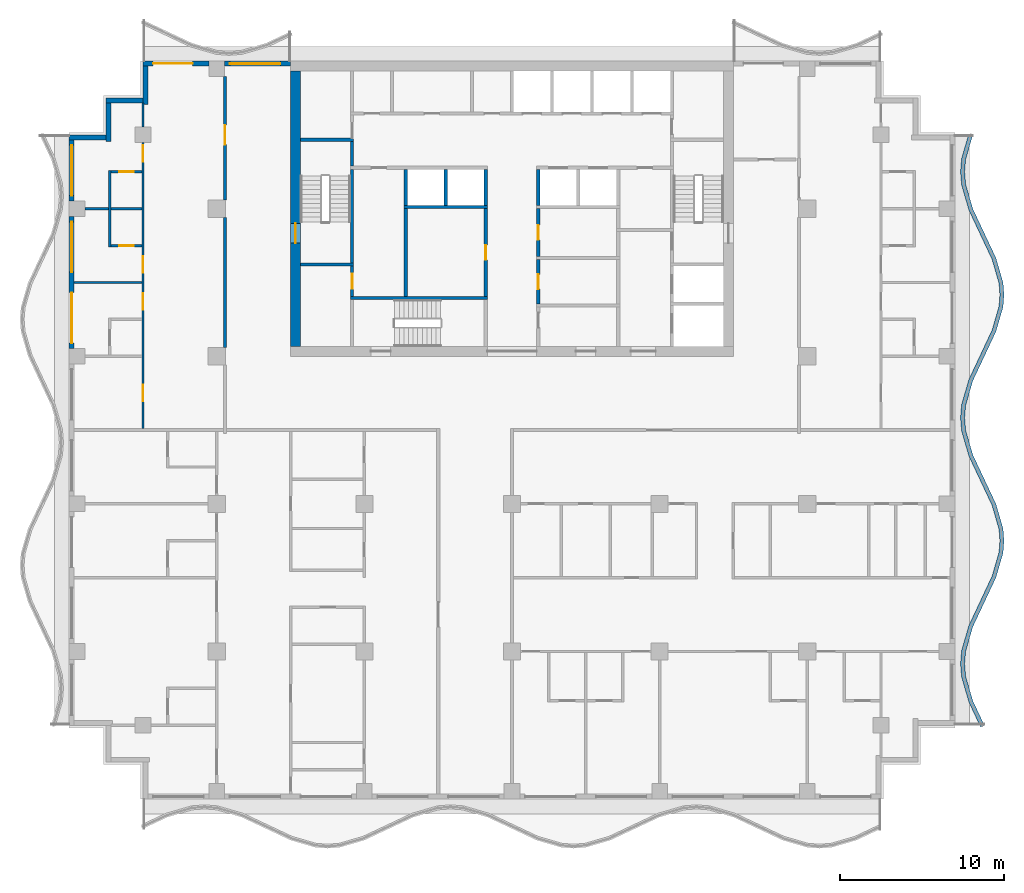
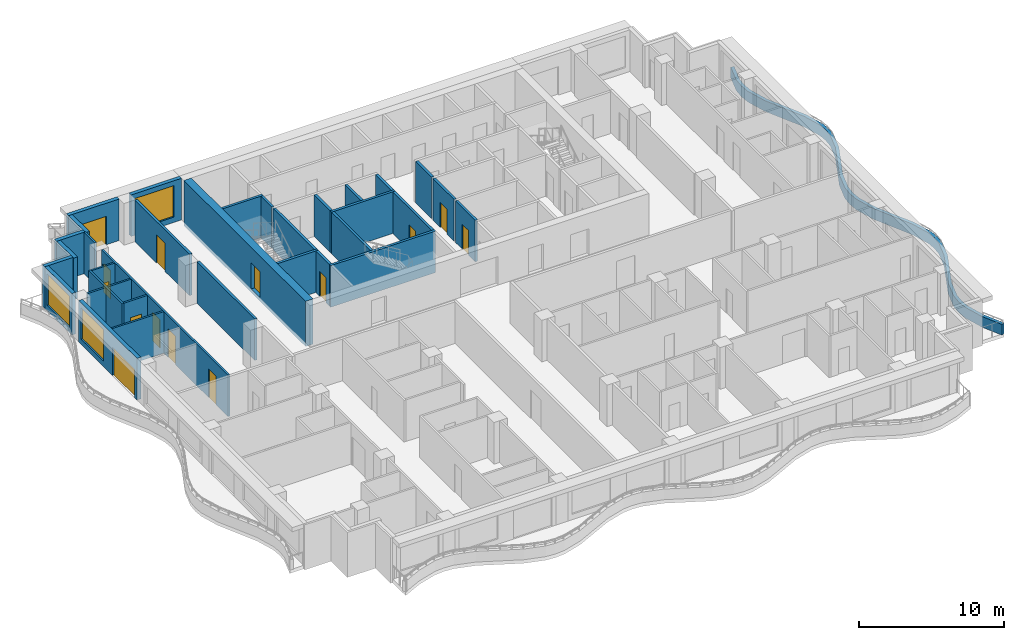
# One storey, part 5 of 11: 35 walls, 14 doors, 3 windows, 17 openings.
"""IFC4 building model written with IfcOpenShell, lengths in metres."""

from ifc_helpers import new_model, si_unit, direction, frame, frame_2d, origin, place, context, subcontext, project, spatial, polyline, rectangle, outline, extrude, material, layer, layer_set, type_object, element, fill, save


model = new_model("IFC4")

# Units and contexts
model_context = context("Model", 3, precision=1e-05, world=origin(), true_north=direction((0.0, 1.0)))
body_context = subcontext(model_context, "Body", "Model", "MODEL_VIEW")
ifc_project = project(units=[si_unit("LENGTHUNIT", "METRE"), si_unit("AREAUNIT", "SQUARE_METRE"), si_unit("VOLUMEUNIT", "CUBIC_METRE"), si_unit("PLANEANGLEUNIT", "RADIAN"), si_unit("MASSUNIT", "GRAM", prefix="KILO")], contexts=[model_context])

# Site, building, storey
site_placement = place(None, origin())
site = spatial("IfcSite", under=ifc_project, at=site_placement, CompositionType="ELEMENT")
building_placement = place(site_placement, origin())
building = spatial("IfcBuilding", under=site, at=building_placement, Name="Orbiselva Terraces", CompositionType="ELEMENT")
storey_placement = place(building_placement, frame((0.0, 0.0, 226.2)))
storey = spatial("IfcBuildingStorey", under=building, at=storey_placement, Name="L57", CompositionType="ELEMENT", Elevation=226.2)

# Wall, opening, door
ifc_material_1 = material(Name="Concrete C80/95", Category="concrete")
ifc_layer_1 = layer(ifc_material_1, 0.6)
ifc_layer_set_1 = layer_set([ifc_layer_1], Name="Concrete C80/95")
wall_type_1 = type_object("IfcWallType", Name="CORE WALL 600", PredefinedType="SHEAR", material=ifc_layer_set_1)
wall_1_placement = place(storey_placement, frame((-13.2, 21.9, -0.3), z_axis=(0.0, 0.0, 1.0), x_axis=(0.0, -1.0, 0.0)))
wall_1 = element("IfcWall", 1, at=wall_1_placement, inside=storey, type_object=wall_type_1, Name="Core wall L57 west", PredefinedType="SHEAR", context=body_context, shape_type="SweptSolid", body=[
    extrude(rectangle(XDim=16.8, YDim=0.6, at=frame_2d((8.4, 0.0))), origin(), (0.0, 0.0, 1.0), 3.8),
])
opening_1_placement = place(wall_1_placement, frame((9.3, 0.0, 0.3)))
opening_1 = element("IfcOpeningElement", 2, at=opening_1_placement, cuts=wall_1, Name="Opening DS1200", PredefinedType="OPENING", context=body_context, shape_type="SweptSolid", body=[
    extrude(rectangle(XDim=1.2, YDim=2.2, at=frame_2d((0.6, 1.1))), frame((0.0, 0.31, 0.0), z_axis=(0.0, -1.0, 0.0), x_axis=(1.0, 0.0, 0.0)), (0.0, 0.0, 1.0), 0.62),
])
ifc_material_2 = material(Name="Steel fire door", Category="steel")
door_type_1 = type_object("IfcDoorType", Name="STAIR DOOR 1200", OperationType="NOTDEFINED", PredefinedType="DOOR", material=ifc_material_2)
door_1_placement = place(opening_1_placement, frame((1.2, 0.0, 0.0), z_axis=(0.0, 0.0, 1.0), x_axis=(-1.0, 0.0, 0.0)))
door_1 = element("IfcDoor", 3, at=door_1_placement, inside=storey, type_object=door_type_1, Name="L57 EXIT STAIR S1 door", OperationType="SINGLE_SWING_RIGHT", OverallHeight=2.2, OverallWidth=1.2, PredefinedType="DOOR", context=body_context, shape_type="SweptSolid", body=[
    extrude(rectangle(XDim=1.2, YDim=2.2, at=frame_2d((0.6, 1.1))), frame((0.0, 0.025, 0.0), z_axis=(0.0, -1.0, 0.0), x_axis=(1.0, 0.0, 0.0)), (0.0, 0.0, 1.0), 0.05),
])
fill(opening_1, door_1)

ifc_material_3 = material(Name="Masonry blockwork", Category="masonry")
ifc_layer_2 = layer(ifc_material_3, 0.2)
ifc_layer_set_2 = layer_set([ifc_layer_2], Name="Masonry blockwork")
wall_type_2 = type_object("IfcWallType", Name="CORE-WALL-PARTITION-200", PredefinedType="PARTITIONING", material=ifc_layer_set_2)
wall_2_placement = place(storey_placement, frame((-9.75, 8.15, 0.0), z_axis=(0.0, 0.0, 1.0), x_axis=(0.0, 1.0, 0.0)))
wall_2 = element("IfcWall", 4, at=wall_2_placement, inside=storey, type_object=wall_type_2, Name="L57 core wall 05", PredefinedType="PARTITIONING", context=body_context, shape_type="SweptSolid", body=[
    extrude(rectangle(XDim=1.85, YDim=0.2, at=frame_2d((0.925, 0.0))), origin(), (0.0, 0.0, 1.0), 3.5),
])
opening_2_placement = place(wall_2_placement, frame((0.475, 0.0, 0.0)))
opening_2 = element("IfcOpeningElement", 5, at=opening_2_placement, cuts=wall_2, Name="Opening DR900", PredefinedType="OPENING", context=body_context, shape_type="SweptSolid", body=[
    extrude(rectangle(XDim=0.9, YDim=2.1, at=frame_2d((0.45, 1.05))), frame((0.0, 0.11, 0.0), z_axis=(0.0, -1.0, 0.0), x_axis=(1.0, 0.0, 0.0)), (0.0, 0.0, 1.0), 0.22),
])
door_type_2 = type_object("IfcDoorType", Name="ROOM DOOR 900", OperationType="NOTDEFINED", PredefinedType="DOOR", material=ifc_material_2)
door_2_placement = place(opening_2_placement, origin())
door_2 = element("IfcDoor", 6, at=door_2_placement, inside=storey, type_object=door_type_2, Name="L57 STAFF WC door", OperationType="SINGLE_SWING_RIGHT", OverallHeight=2.1, OverallWidth=0.9, PredefinedType="DOOR", context=body_context, shape_type="SweptSolid", body=[
    extrude(rectangle(XDim=0.9, YDim=2.1, at=frame_2d((0.45, 1.05))), frame((0.0, 0.025, 0.0), z_axis=(0.0, -1.0, 0.0), x_axis=(1.0, 0.0, 0.0)), (0.0, 0.0, 1.0), 0.05),
])
fill(opening_2, door_2)

# Wall
wall_3_placement = place(storey_placement, frame((-6.475, 8.15, 0.0), z_axis=(0.0, 0.0, 1.0), x_axis=(0.0, 1.0, 0.0)))
element("IfcWall", 7, at=wall_3_placement, inside=storey, type_object=wall_type_2, Name="L57 core wall 13", PredefinedType="PARTITIONING", context=body_context, shape_type="SweptSolid", body=[
    extrude(rectangle(XDim=5.35, YDim=0.2, at=frame_2d((2.675, 0.0))), origin(), (0.0, 0.0, 1.0), 3.5),
])

# Wall, opening, door
wall_4_placement = place(storey_placement, frame((1.6, 10.4, 0.0), z_axis=(0.0, 0.0, 1.0), x_axis=(0.0, -1.0, 0.0)))
wall_4 = element("IfcWall", 8, at=wall_4_placement, inside=storey, type_object=wall_type_2, Name="L57 core wall 24", PredefinedType="PARTITIONING", context=body_context, shape_type="SweptSolid", body=[
    extrude(rectangle(XDim=2.7, YDim=0.2, at=frame_2d((1.35, 0.0))), origin(), (0.0, 0.0, 1.0), 3.5),
])
opening_3_placement = place(wall_4_placement, frame((0.9, 0.0, 0.0)))
opening_3 = element("IfcOpeningElement", 9, at=opening_3_placement, cuts=wall_4, Name="Opening DR900", PredefinedType="OPENING", context=body_context, shape_type="SweptSolid", body=[
    extrude(rectangle(XDim=0.9, YDim=2.1, at=frame_2d((0.45, 1.05))), frame((0.0, 0.11, 0.0), z_axis=(0.0, -1.0, 0.0), x_axis=(1.0, 0.0, 0.0)), (0.0, 0.0, 1.0), 0.22),
])
door_3_placement = place(opening_3_placement, origin())
door_3 = element("IfcDoor", 10, at=door_3_placement, inside=storey, type_object=door_type_2, Name="L57 SERVICE PANTRY door", OperationType="SINGLE_SWING_LEFT", OverallHeight=2.1, OverallWidth=0.9, PredefinedType="DOOR", context=body_context, shape_type="SweptSolid", body=[
    extrude(rectangle(XDim=0.9, YDim=2.1, at=frame_2d((0.45, 1.05))), frame((0.0, 0.025, 0.0), z_axis=(0.0, -1.0, 0.0), x_axis=(1.0, 0.0, 0.0)), (0.0, 0.0, 1.0), 0.05),
])
fill(opening_3, door_3)

wall_5_placement = place(storey_placement, frame((1.6, 13.5, 0.0), z_axis=(0.0, 0.0, 1.0), x_axis=(0.0, -1.0, 0.0)))
wall_5 = element("IfcWall", 11, at=wall_5_placement, inside=storey, type_object=wall_type_2, Name="L57 core wall 26", PredefinedType="PARTITIONING", context=body_context, shape_type="SweptSolid", body=[
    extrude(rectangle(XDim=2.9, YDim=0.2, at=frame_2d((1.45, 0.0))), origin(), (0.0, 0.0, 1.0), 3.5),
])
opening_4_placement = place(wall_5_placement, frame((1.0, 0.0, 0.0)))
opening_4 = element("IfcOpeningElement", 12, at=opening_4_placement, cuts=wall_5, Name="Opening DR900", PredefinedType="OPENING", context=body_context, shape_type="SweptSolid", body=[
    extrude(rectangle(XDim=0.9, YDim=2.1, at=frame_2d((0.45, 1.05))), frame((0.0, 0.11, 0.0), z_axis=(0.0, -1.0, 0.0), x_axis=(1.0, 0.0, 0.0)), (0.0, 0.0, 1.0), 0.22),
])
door_4_placement = place(opening_4_placement, origin())
door_4 = element("IfcDoor", 13, at=door_4_placement, inside=storey, type_object=door_type_2, Name="L57 STAFF WC door", OperationType="SINGLE_SWING_LEFT", OverallHeight=2.1, OverallWidth=0.9, PredefinedType="DOOR", context=body_context, shape_type="SweptSolid", body=[
    extrude(rectangle(XDim=0.9, YDim=2.1, at=frame_2d((0.45, 1.05))), frame((0.0, 0.025, 0.0), z_axis=(0.0, -1.0, 0.0), x_axis=(1.0, 0.0, 0.0)), (0.0, 0.0, 1.0), 0.05),
])
fill(opening_4, door_4)

# Walls
ifc_material_4 = material(Name="Concrete C40/50", Category="concrete")
ifc_layer_3 = layer(ifc_material_4, 0.2)
ifc_layer_set_3 = layer_set([ifc_layer_3], Name="Concrete C40/50")
wall_type_3 = type_object("IfcWallType", Name="CORE-WALL-SHAFT-200", PredefinedType="PARTITIONING", material=ifc_layer_set_3)
for number, where, z_axis, x_axis, name in (
    (14, (-6.475, 13.7, 0.0), (0.0, 0.0, 1.0), (0.0, 1.0, 0.0), "L57 core wall 15"),
    (15, (-4.0375, 13.7, 0.0), (0.0, 0.0, 1.0), (0.0, 1.0, 0.0), "L57 core wall 16"),
    (16, (-1.6, 13.7, 0.0), (0.0, 0.0, 1.0), (0.0, 1.0, 0.0), "L57 core wall 20"),
    (17, (1.6, 13.7, 0.0), (0.0, 0.0, 1.0), (0.0, 1.0, 0.0), "L57 core wall 28"),
):
    element("IfcWall", number, at=place(storey_placement, frame(where, z_axis=z_axis, x_axis=x_axis)), inside=storey, type_object=wall_type_3, Name=name, PredefinedType="PARTITIONING", context=body_context, shape_type="SweptSolid", body=[
        extrude(rectangle(XDim=2.2, YDim=0.2, at=frame_2d((1.1, 0.0))), origin(), (0.0, 0.0, 1.0), 3.5),
    ])
ifc_material_5 = material(Name="Concrete C60/75", Category="concrete")
ifc_layer_4 = layer(ifc_material_5, 0.2)
ifc_layer_set_4 = layer_set([ifc_layer_4], Name="Concrete C60/75")
wall_type_4 = type_object("IfcWallType", Name="CORE-WALL-SHEAR-200", PredefinedType="SHEAR", material=ifc_layer_set_4)
for number, where, z_axis, x_axis, name in (
    (18, (-12.9, 10.1, 0.0), (0.0, 0.0, 1.0), (1.0, 0.0, 0.0), "L57 core wall 01"),
    (19, (-12.9, 17.7, 0.0), (0.0, 0.0, 1.0), (1.0, 0.0, 0.0), "L57 core wall 02"),
):
    element("IfcWall", number, at=place(storey_placement, frame(where, z_axis=z_axis, x_axis=x_axis)), inside=storey, type_object=wall_type_4, Name=name, PredefinedType="SHEAR", context=body_context, shape_type="SweptSolid", body=[
        extrude(rectangle(XDim=3.25, YDim=0.2, at=frame_2d((1.625, 0.0))), origin(), (0.0, 0.0, 1.0), 3.5),
    ])
wall_6_placement = place(storey_placement, frame((-9.85, 8.05, 0.0), z_axis=(0.0, 0.0, 1.0), x_axis=(1.0, 0.0, 0.0)))
element("IfcWall", 20, at=wall_6_placement, inside=storey, type_object=wall_type_4, Name="L57 core wall 04", PredefinedType="SHEAR", context=body_context, shape_type="SweptSolid", body=[
    extrude(rectangle(XDim=8.35, YDim=0.2, at=frame_2d((4.175, 0.0))), origin(), (0.0, 0.0, 1.0), 3.5),
])
wall_7_placement = place(storey_placement, frame((-9.75, 10.2, 0.0), z_axis=(0.0, 0.0, 1.0), x_axis=(0.0, 1.0, 0.0)))
element("IfcWall", 21, at=wall_7_placement, inside=storey, type_object=wall_type_4, Name="L57 core wall 06", PredefinedType="SHEAR", context=body_context, shape_type="SweptSolid", body=[
    extrude(rectangle(XDim=5.7, YDim=0.2, at=frame_2d((2.85, 0.0))), origin(), (0.0, 0.0, 1.0), 3.5),
])
wall_8_placement = place(storey_placement, frame((-9.75, 16.1, 0.0), z_axis=(0.0, 0.0, 1.0), x_axis=(0.0, 1.0, 0.0)))
element("IfcWall", 22, at=wall_8_placement, inside=storey, type_object=wall_type_4, Name="L57 core wall 08", PredefinedType="SHEAR", context=body_context, shape_type="SweptSolid", body=[
    extrude(rectangle(XDim=1.5, YDim=0.2, at=frame_2d((0.75, 0.0))), origin(), (0.0, 0.0, 1.0), 3.5),
])
wall_9_placement = place(storey_placement, frame((-6.575, 13.6, 0.0), z_axis=(0.0, 0.0, 1.0), x_axis=(1.0, 0.0, 0.0)))
element("IfcWall", 23, at=wall_9_placement, inside=storey, type_object=wall_type_4, Name="L57 core wall 14", PredefinedType="SHEAR", context=body_context, shape_type="SweptSolid", body=[
    extrude(rectangle(XDim=5.075, YDim=0.2, at=frame_2d((2.5375, 0.0))), origin(), (0.0, 0.0, 1.0), 3.5),
])

# Wall, opening, door
wall_10_placement = place(storey_placement, frame((-1.6, 8.15, 0.0), z_axis=(0.0, 0.0, 1.0), x_axis=(0.0, 1.0, 0.0)))
wall_10 = element("IfcWall", 24, at=wall_10_placement, inside=storey, type_object=wall_type_4, Name="L57 core wall 19", PredefinedType="SHEAR", context=body_context, shape_type="SweptSolid", body=[
    extrude(rectangle(XDim=5.35, YDim=0.2, at=frame_2d((2.675, 0.0))), origin(), (0.0, 0.0, 1.0), 3.5),
])
opening_5_placement = place(wall_10_placement, frame((2.225, 0.0, 0.0)))
opening_5 = element("IfcOpeningElement", 25, at=opening_5_placement, cuts=wall_10, Name="Opening DR900", PredefinedType="OPENING", context=body_context, shape_type="SweptSolid", body=[
    extrude(rectangle(XDim=0.9, YDim=2.1, at=frame_2d((0.45, 1.05))), frame((0.0, 0.11, 0.0), z_axis=(0.0, -1.0, 0.0), x_axis=(1.0, 0.0, 0.0)), (0.0, 0.0, 1.0), 0.22),
])
door_5_placement = place(opening_5_placement, origin())
door_5 = element("IfcDoor", 26, at=door_5_placement, inside=storey, type_object=door_type_2, Name="L57 HOUSEKEEPING STORE door", OperationType="SINGLE_SWING_RIGHT", OverallHeight=2.1, OverallWidth=0.9, PredefinedType="DOOR", context=body_context, shape_type="SweptSolid", body=[
    extrude(rectangle(XDim=0.9, YDim=2.1, at=frame_2d((0.45, 1.05))), frame((0.0, 0.025, 0.0), z_axis=(0.0, -1.0, 0.0), x_axis=(1.0, 0.0, 0.0)), (0.0, 0.0, 1.0), 0.05),
])
fill(opening_5, door_5)

# Wall
ifc_layer_5 = layer(ifc_material_4, 0.25)
ifc_layer_set_5 = layer_set([ifc_layer_5], Name="Concrete C40/50")
wall_type_5 = type_object("IfcWallType", Name="ENV-PLANTER-250x900", PredefinedType="USERDEFINED", material=ifc_layer_set_5)
wall_11_placement = place(storey_placement, origin())
element("IfcWall", 27, at=wall_11_placement, inside=storey, type_object=wall_type_5, Name="Balcony planter L57 E", ObjectType="PLANTER", PredefinedType="USERDEFINED", context=body_context, shape_type="SweptSolid", body=[
    extrude(outline(polyline([(28.8, -18.0), (28.094658, -16.5), (27.658732, -15.0), (27.6, -14.25), (27.658732, -13.5), (28.094658, -12.0), (28.8, -10.5), (29.505342, -9.0), (29.941268, -7.5), (30.0, -6.75), (29.941268, -6.0), (29.505342, -4.5), (28.8, -3.0), (28.094658, -1.5), (27.658732, 0.0), (27.6, 0.75), (27.658732, 1.5), (28.094658, 3.0), (28.8, 4.5), (29.505342, 6.0), (29.941268, 7.5), (30.0, 8.25), (29.941268, 9.0), (29.505342, 10.5), (28.8, 12.0), (28.094658, 13.5), (27.658732, 15.0), (27.6, 15.75), (27.658732, 16.5), (28.094658, 18.0), (27.85459, 18.069768), (27.411499, 16.545114), (27.349235, 15.75), (27.411499, 14.954886), (27.860069, 13.411382), (28.573764, 11.893617), (29.270753, 10.411382), (29.694035, 8.954886), (29.749235, 8.25), (29.694035, 7.545114), (29.270753, 6.088618), (28.573764, 4.606383), (27.860069, 3.088618), (27.411499, 1.545114), (27.349235, 0.75), (27.411499, -0.045114), (27.860069, -1.588618), (28.573764, -3.106383), (29.270753, -4.588618), (29.694035, -6.045114), (29.749235, -6.75), (29.694035, -7.454886), (29.270753, -8.911382), (28.573764, -10.393617), (27.860069, -11.911382), (27.411499, -13.454886), (27.349235, -14.25), (27.411499, -15.045114), (27.860069, -16.588618), (28.573764, -18.106383), (28.8, -18.0)])), origin(), (0.0, 0.0, 1.0), 0.9),
])

# Wall, opening, window
ifc_material_6 = material(Name="Terracotta cladding on masonry backing", Category="masonry")
ifc_layer_6 = layer(ifc_material_6, 0.3)
ifc_layer_set_6 = layer_set([ifc_layer_6], Name="Terracotta cladding on masonry backing")
wall_type_6 = type_object("IfcWallType", Name="ENV-WALL-TERRACOTTA-300", PredefinedType="SOLIDWALL", material=ifc_layer_set_6)
wall_12_placement = place(storey_placement, frame((-17.525, 22.35, 0.0), z_axis=(0.0, 0.0, 1.0), x_axis=(1.0, 0.0, 0.0)))
wall_12 = element("IfcWall", 28, at=wall_12_placement, inside=storey, type_object=wall_type_6, Name="Facade wall L57 NW", PredefinedType="SOLIDWALL", context=body_context, shape_type="SweptSolid", body=[
    extrude(rectangle(XDim=4.025, YDim=0.3, at=frame_2d((2.0125, 0.0))), origin(), (0.0, 0.0, 1.0), 3.5),
])
opening_6_placement = place(wall_12_placement, frame((0.325, 0.0, 0.45)))
opening_6 = element("IfcOpeningElement", 29, at=opening_6_placement, cuts=wall_12, Name="Opening WN15", PredefinedType="OPENING", context=body_context, shape_type="SweptSolid", body=[
    extrude(rectangle(XDim=3.075, YDim=2.65, at=frame_2d((1.5375, 1.325))), frame((0.0, 0.16, 0.0), z_axis=(0.0, -1.0, 0.0), x_axis=(1.0, 0.0, 0.0)), (0.0, 0.0, 1.0), 0.32),
])
ifc_material_7 = material(Name="Clear low-e glazing in aluminium frame", Category="aluminium")
window_type = type_object("IfcWindowType", Name="WINDOW 3075 X 2650 S450", PartitioningType="TRIPLE_PANEL_VERTICAL", PredefinedType="WINDOW", material=ifc_material_7)
window_1_placement = place(opening_6_placement, origin())
window_1 = element("IfcWindow", 30, at=window_1_placement, inside=storey, type_object=window_type, Name="Window L57 NW", OverallHeight=2.65, OverallWidth=3.075, PartitioningType="SINGLE_PANEL", PredefinedType="WINDOW", context=body_context, shape_type="SweptSolid", body=[
    extrude(rectangle(XDim=3.075, YDim=2.65, at=frame_2d((1.5375, 1.325))), frame((0.0, 0.03, 0.0), z_axis=(0.0, -1.0, 0.0), x_axis=(1.0, 0.0, 0.0)), (0.0, 0.0, 1.0), 0.06),
])
fill(opening_6, window_1)

# Wall, opening, door
wall_13_placement = place(storey_placement, frame((-22.5, 22.35, 0.0), z_axis=(0.0, 0.0, 1.0), x_axis=(1.0, 0.0, 0.0)))
wall_13 = element("IfcWall", 31, at=wall_13_placement, inside=storey, type_object=wall_type_6, Name="Facade wall L57 NW", PredefinedType="SOLIDWALL", context=body_context, shape_type="SweptSolid", body=[
    extrude(rectangle(XDim=4.025, YDim=0.3, at=frame_2d((2.0125, 0.0))), origin(), (0.0, 0.0, 1.0), 3.5),
])
opening_7_placement = place(wall_13_placement, frame((0.625, 0.0, 0.0)))
opening_7 = element("IfcOpeningElement", 32, at=opening_7_placement, cuts=wall_13, Name="Opening Z4-E-E07", PredefinedType="OPENING", context=body_context, shape_type="SweptSolid", body=[
    extrude(rectangle(XDim=2.4, YDim=2.4, at=frame_2d((1.2, 1.2))), frame((0.0, 0.16, 0.0), z_axis=(0.0, -1.0, 0.0), x_axis=(1.0, 0.0, 0.0)), (0.0, 0.0, 1.0), 0.32),
])
door_type_3 = type_object("IfcDoorType", Name="BALCONY DOOR 2400 X 2400", OperationType="DOUBLE_DOOR_SLIDING", PredefinedType="DOOR", material=ifc_material_7)
door_6_placement = place(opening_7_placement, origin())
door_6 = element("IfcDoor", 33, at=door_6_placement, inside=storey, type_object=door_type_3, Name="Z4-E-E07", OperationType="SINGLE_SWING_LEFT", OverallHeight=2.4, OverallWidth=2.4, PredefinedType="DOOR", context=body_context, shape_type="SweptSolid", body=[
    extrude(rectangle(XDim=2.4, YDim=2.4, at=frame_2d((1.2, 1.2))), frame((0.0, 0.025, 0.0), z_axis=(0.0, -1.0, 0.0), x_axis=(1.0, 0.0, 0.0)), (0.0, 0.0, 1.0), 0.05),
])
fill(opening_7, door_6)

# Walls
wall_14_placement = place(storey_placement, frame((-22.35, 19.85, 0.0), z_axis=(0.0, 0.0, 1.0), x_axis=(0.0, 1.0, 0.0)))
element("IfcWall", 34, at=wall_14_placement, inside=storey, type_object=wall_type_6, Name="Facade wall L57 STEP", PredefinedType="SOLIDWALL", context=body_context, shape_type="SweptSolid", body=[
    extrude(rectangle(XDim=2.35, YDim=0.3, at=frame_2d((1.175, 0.0))), origin(), (0.0, 0.0, 1.0), 3.5),
])
wall_15_placement = place(storey_placement, frame((-24.75, 20.1, 0.0), z_axis=(0.0, 0.0, 1.0), x_axis=(1.0, 0.0, 0.0)))
element("IfcWall", 35, at=wall_15_placement, inside=storey, type_object=wall_type_6, Name="Facade wall L57 STEP", PredefinedType="SOLIDWALL", context=body_context, shape_type="SweptSolid", body=[
    extrude(rectangle(XDim=2.25, YDim=0.3, at=frame_2d((1.125, 0.0))), origin(), (0.0, 0.0, 1.0), 3.5),
])
wall_16_placement = place(storey_placement, frame((-24.6, 17.6, 0.0), z_axis=(0.0, 0.0, 1.0), x_axis=(0.0, 1.0, 0.0)))
element("IfcWall", 36, at=wall_16_placement, inside=storey, type_object=wall_type_6, Name="Facade wall L57 STEP", PredefinedType="SOLIDWALL", context=body_context, shape_type="SweptSolid", body=[
    extrude(rectangle(XDim=2.35, YDim=0.3, at=frame_2d((1.175, 0.0))), origin(), (0.0, 0.0, 1.0), 3.5),
])
wall_17_placement = place(storey_placement, frame((-27.0, 17.85, 0.0), z_axis=(0.0, 0.0, 1.0), x_axis=(1.0, 0.0, 0.0)))
element("IfcWall", 37, at=wall_17_placement, inside=storey, type_object=wall_type_6, Name="Facade wall L57 STEP", PredefinedType="SOLIDWALL", context=body_context, shape_type="SweptSolid", body=[
    extrude(rectangle(XDim=2.25, YDim=0.3, at=frame_2d((1.125, 0.0))), origin(), (0.0, 0.0, 1.0), 3.5),
])

# Wall, opening, window
wall_18_placement = place(storey_placement, frame((-26.85, 13.975, 0.0), z_axis=(0.0, 0.0, 1.0), x_axis=(0.0, 1.0, 0.0)))
wall_18 = element("IfcWall", 38, at=wall_18_placement, inside=storey, type_object=wall_type_6, Name="Facade wall L57 W", PredefinedType="SOLIDWALL", context=body_context, shape_type="SweptSolid", body=[
    extrude(rectangle(XDim=3.725, YDim=0.3, at=frame_2d((1.8625, 0.0))), origin(), (0.0, 0.0, 1.0), 3.5),
])
opening_8_placement = place(wall_18_placement, frame((0.325, 0.0, 0.45)))
opening_8 = element("IfcOpeningElement", 39, at=opening_8_placement, cuts=wall_18, Name="Opening WN15", PredefinedType="OPENING", context=body_context, shape_type="SweptSolid", body=[
    extrude(rectangle(XDim=3.075, YDim=2.65, at=frame_2d((1.5375, 1.325))), frame((0.0, 0.16, 0.0), z_axis=(0.0, -1.0, 0.0), x_axis=(1.0, 0.0, 0.0)), (0.0, 0.0, 1.0), 0.32),
])
window_2_placement = place(opening_8_placement, origin())
window_2 = element("IfcWindow", 40, at=window_2_placement, inside=storey, type_object=window_type, Name="Window L57 W", OverallHeight=2.65, OverallWidth=3.075, PartitioningType="SINGLE_PANEL", PredefinedType="WINDOW", context=body_context, shape_type="SweptSolid", body=[
    extrude(rectangle(XDim=3.075, YDim=2.65, at=frame_2d((1.5375, 1.325))), frame((0.0, 0.03, 0.0), z_axis=(0.0, -1.0, 0.0), x_axis=(1.0, 0.0, 0.0)), (0.0, 0.0, 1.0), 0.06),
])
fill(opening_8, window_2)

# Wall, openings, door, window
wall_19_placement = place(storey_placement, frame((-26.85, 4.975, 0.0), z_axis=(0.0, 0.0, 1.0), x_axis=(0.0, 1.0, 0.0)))
wall_19 = element("IfcWall", 41, at=wall_19_placement, inside=storey, type_object=wall_type_6, Name="Facade wall L57 W", PredefinedType="SOLIDWALL", context=body_context, shape_type="SweptSolid", body=[
    extrude(rectangle(XDim=8.05, YDim=0.3, at=frame_2d((4.025, 0.0))), origin(), (0.0, 0.0, 1.0), 3.5),
])
opening_9_placement = place(wall_19_placement, frame((4.65, 0.0, 0.45)))
opening_9 = element("IfcOpeningElement", 42, at=opening_9_placement, cuts=wall_19, Name="Opening WN15", PredefinedType="OPENING", context=body_context, shape_type="SweptSolid", body=[
    extrude(rectangle(XDim=3.075, YDim=2.65, at=frame_2d((1.5375, 1.325))), frame((0.0, 0.16, 0.0), z_axis=(0.0, -1.0, 0.0), x_axis=(1.0, 0.0, 0.0)), (0.0, 0.0, 1.0), 0.32),
])
opening_10_placement = place(wall_19_placement, frame((0.325, 0.0, 0.0)))
opening_10 = element("IfcOpeningElement", 43, at=opening_10_placement, cuts=wall_19, Name="Opening Z4-E-E08", PredefinedType="OPENING", context=body_context, shape_type="SweptSolid", body=[
    extrude(rectangle(XDim=3.075, YDim=2.4, at=frame_2d((1.5375, 1.2))), frame((0.0, 0.16, 0.0), z_axis=(0.0, -1.0, 0.0), x_axis=(1.0, 0.0, 0.0)), (0.0, 0.0, 1.0), 0.32),
])
door_type_4 = type_object("IfcDoorType", Name="BALCONY DOOR 3075 X 2400", OperationType="DOUBLE_DOOR_SLIDING", PredefinedType="DOOR", material=ifc_material_7)
door_7_placement = place(opening_10_placement, origin())
door_7 = element("IfcDoor", 44, at=door_7_placement, inside=storey, type_object=door_type_4, Name="Z4-E-E08", OperationType="SINGLE_SWING_LEFT", OverallHeight=2.4, OverallWidth=3.075, PredefinedType="DOOR", context=body_context, shape_type="SweptSolid", body=[
    extrude(rectangle(XDim=3.075, YDim=2.4, at=frame_2d((1.5375, 1.2))), frame((0.0, 0.025, 0.0), z_axis=(0.0, -1.0, 0.0), x_axis=(1.0, 0.0, 0.0)), (0.0, 0.0, 1.0), 0.05),
])
fill(opening_10, door_7)
window_3_placement = place(opening_9_placement, origin())
window_3 = element("IfcWindow", 45, at=window_3_placement, inside=storey, type_object=window_type, Name="Window L57 W", OverallHeight=2.65, OverallWidth=3.075, PartitioningType="SINGLE_PANEL", PredefinedType="WINDOW", context=body_context, shape_type="SweptSolid", body=[
    extrude(rectangle(XDim=3.075, YDim=2.65, at=frame_2d((1.5375, 1.325))), frame((0.0, 0.03, 0.0), z_axis=(0.0, -1.0, 0.0), x_axis=(1.0, 0.0, 0.0)), (0.0, 0.0, 1.0), 0.06),
])
fill(opening_9, window_3)

# Wall
ifc_material_8 = material(Name="Plasterboard on steel stud partition", Category="steel")
ifc_layer_7 = layer(ifc_material_8, 0.2)
ifc_layer_set_7 = layer_set([ifc_layer_7], Name="Plasterboard on steel stud partition")
wall_type_7 = type_object("IfcWallType", Name="UNIT-ENTRANCE-WALL-200", PredefinedType="PARTITIONING", material=ifc_layer_set_7)
wall_20_placement = place(storey_placement, frame((-17.5, 5.025, 0.0), z_axis=(0.0, 0.0, 1.0), x_axis=(0.0, 1.0, 0.0)))
element("IfcWall", 46, at=wall_20_placement, inside=storey, type_object=wall_type_7, Name="PARTITION L57-058", PredefinedType="PARTITIONING", context=body_context, shape_type="SweptSolid", body=[
    extrude(rectangle(XDim=7.95, YDim=0.2, at=frame_2d((3.975, 0.0))), origin(), (0.0, 0.0, 1.0), 3.5),
])

# Wall, opening, door
wall_21_placement = place(storey_placement, frame((-17.5, 14.025, 0.0), z_axis=(0.0, 0.0, 1.0), x_axis=(0.0, 1.0, 0.0)))
wall_21 = element("IfcWall", 47, at=wall_21_placement, inside=storey, type_object=wall_type_7, Name="PARTITION L57-059", PredefinedType="PARTITIONING", context=body_context, shape_type="SweptSolid", body=[
    extrude(rectangle(XDim=7.525, YDim=0.2, at=frame_2d((3.7625, 0.0))), origin(), (0.0, 0.0, 1.0), 3.5),
])
opening_11_placement = place(wall_21_placement, frame((3.375, 0.0, 0.0)))
opening_11 = element("IfcOpeningElement", 48, at=opening_11_placement, cuts=wall_21, Name="Opening Z4-E-02", PredefinedType="OPENING", context=body_context, shape_type="SweptSolid", body=[
    extrude(rectangle(XDim=1.2, YDim=2.4, at=frame_2d((0.6, 1.2))), frame((0.0, 0.11, 0.0), z_axis=(0.0, -1.0, 0.0), x_axis=(1.0, 0.0, 0.0)), (0.0, 0.0, 1.0), 0.22),
])
ifc_material_9 = material(Name="Painted timber door leaf", Category="wood")
door_type_5 = type_object("IfcDoorType", Name="ENTRANCE DOOR 1200", OperationType="NOTDEFINED", PredefinedType="DOOR", material=ifc_material_9)
door_8_placement = place(opening_11_placement, origin())
door_8 = element("IfcDoor", 49, at=door_8_placement, inside=storey, type_object=door_type_5, Name="Z4-E-02", OperationType="SINGLE_SWING_RIGHT", OverallHeight=2.4, OverallWidth=1.2, PredefinedType="DOOR", context=body_context, shape_type="SweptSolid", body=[
    extrude(rectangle(XDim=1.2, YDim=2.4, at=frame_2d((0.6, 1.2))), frame((0.0, 0.025, 0.0), z_axis=(0.0, -1.0, 0.0), x_axis=(1.0, 0.0, 0.0)), (0.0, 0.0, 1.0), 0.05),
])
fill(opening_11, door_8)

# Wall
ifc_layer_8 = layer(ifc_material_8, 0.15)
ifc_layer_set_8 = layer_set([ifc_layer_8], Name="Plasterboard on steel stud partition")
wall_type_8 = type_object("IfcWallType", Name="UNIT-PARTITION-150", PredefinedType="PARTITIONING", material=ifc_layer_set_8)
wall_22_placement = place(storey_placement, frame((-26.7, 9.0, 0.0), z_axis=(0.0, 0.0, 1.0), x_axis=(1.0, 0.0, 0.0)))
element("IfcWall", 50, at=wall_22_placement, inside=storey, type_object=wall_type_8, Name="PARTITION L57-036", PredefinedType="PARTITIONING", context=body_context, shape_type="SweptSolid", body=[
    extrude(rectangle(XDim=4.125, YDim=0.15, at=frame_2d((2.0625, 0.0))), origin(), (0.0, 0.0, 1.0), 3.5),
])

# Wall, opening, door
wall_23_placement = place(storey_placement, frame((-24.45, 11.25, 0.0), z_axis=(0.0, 0.0, 1.0), x_axis=(1.0, 0.0, 0.0)))
wall_23 = element("IfcWall", 51, at=wall_23_placement, inside=storey, type_object=wall_type_8, Name="PARTITION L57-038", PredefinedType="PARTITIONING", context=body_context, shape_type="SweptSolid", body=[
    extrude(rectangle(XDim=1.875, YDim=0.15, at=frame_2d((0.9375, 0.0))), origin(), (0.0, 0.0, 1.0), 3.5),
])
opening_12_placement = place(wall_23_placement, frame((0.5, 0.0, 0.0)))
opening_12 = element("IfcOpeningElement", 52, at=opening_12_placement, cuts=wall_23, Name="Opening Z4-E-07", PredefinedType="OPENING", context=body_context, shape_type="SweptSolid", body=[
    extrude(rectangle(XDim=0.9, YDim=2.1, at=frame_2d((0.45, 1.05))), frame((0.0, 0.085, 0.0), z_axis=(0.0, -1.0, 0.0), x_axis=(1.0, 0.0, 0.0)), (0.0, 0.0, 1.0), 0.17),
])
door_type_6 = type_object("IfcDoorType", Name="BATH DOOR 900", OperationType="NOTDEFINED", PredefinedType="DOOR", material=ifc_material_9)
door_9_placement = place(opening_12_placement, origin())
door_9 = element("IfcDoor", 53, at=door_9_placement, inside=storey, type_object=door_type_6, Name="Z4-E-07", OperationType="SINGLE_SWING_RIGHT", OverallHeight=2.1, OverallWidth=0.9, PredefinedType="DOOR", context=body_context, shape_type="SweptSolid", body=[
    extrude(rectangle(XDim=0.9, YDim=2.1, at=frame_2d((0.45, 1.05))), frame((0.0, 0.025, 0.0), z_axis=(0.0, -1.0, 0.0), x_axis=(1.0, 0.0, 0.0)), (0.0, 0.0, 1.0), 0.05),
])
fill(opening_12, door_9)

# Walls
wall_24_placement = place(storey_placement, frame((-26.05, 13.5, 0.0), z_axis=(0.0, 0.0, 1.0), x_axis=(1.0, 0.0, 0.0)))
element("IfcWall", 54, at=wall_24_placement, inside=storey, type_object=wall_type_8, Name="PARTITION L57-040", PredefinedType="PARTITIONING", context=body_context, shape_type="SweptSolid", body=[
    extrude(rectangle(XDim=1.45, YDim=0.15, at=frame_2d((0.725, 0.0))), origin(), (0.0, 0.0, 1.0), 3.5),
])
wall_25_placement = place(storey_placement, frame((-24.45, 13.5, 0.0), z_axis=(0.0, 0.0, 1.0), x_axis=(1.0, 0.0, 0.0)))
element("IfcWall", 55, at=wall_25_placement, inside=storey, type_object=wall_type_8, Name="PARTITION L57-041", PredefinedType="PARTITIONING", context=body_context, shape_type="SweptSolid", body=[
    extrude(rectangle(XDim=1.875, YDim=0.15, at=frame_2d((0.9375, 0.0))), origin(), (0.0, 0.0, 1.0), 3.5),
])

# Wall, opening, door
wall_26_placement = place(storey_placement, frame((-22.575, 15.75, 0.0), z_axis=(0.0, 0.0, 1.0), x_axis=(-1.0, 0.0, 0.0)))
wall_26 = element("IfcWall", 56, at=wall_26_placement, inside=storey, type_object=wall_type_8, Name="PARTITION L57-044", PredefinedType="PARTITIONING", context=body_context, shape_type="SweptSolid", body=[
    extrude(rectangle(XDim=1.875, YDim=0.15, at=frame_2d((0.9375, 0.0))), origin(), (0.0, 0.0, 1.0), 3.5),
])
opening_13_placement = place(wall_26_placement, frame((0.475, 0.0, 0.0)))
opening_13 = element("IfcOpeningElement", 57, at=opening_13_placement, cuts=wall_26, Name="Opening Z4-E-09", PredefinedType="OPENING", context=body_context, shape_type="SweptSolid", body=[
    extrude(rectangle(XDim=0.9, YDim=2.1, at=frame_2d((0.45, 1.05))), frame((0.0, 0.085, 0.0), z_axis=(0.0, -1.0, 0.0), x_axis=(1.0, 0.0, 0.0)), (0.0, 0.0, 1.0), 0.17),
])
door_10_placement = place(opening_13_placement, origin())
door_10 = element("IfcDoor", 58, at=door_10_placement, inside=storey, type_object=door_type_6, Name="Z4-E-09", OperationType="SINGLE_SWING_LEFT", OverallHeight=2.1, OverallWidth=0.9, PredefinedType="DOOR", context=body_context, shape_type="SweptSolid", body=[
    extrude(rectangle(XDim=0.9, YDim=2.1, at=frame_2d((0.45, 1.05))), frame((0.0, 0.025, 0.0), z_axis=(0.0, -1.0, 0.0), x_axis=(1.0, 0.0, 0.0)), (0.0, 0.0, 1.0), 0.05),
])
fill(opening_13, door_10)

# Wall
wall_27_placement = place(storey_placement, frame((-24.525, 11.175, 0.0), z_axis=(0.0, 0.0, 1.0), x_axis=(0.0, 1.0, 0.0)))
element("IfcWall", 59, at=wall_27_placement, inside=storey, type_object=wall_type_8, Name="PARTITION L57-048", PredefinedType="PARTITIONING", context=body_context, shape_type="SweptSolid", body=[
    extrude(rectangle(XDim=4.65, YDim=0.15, at=frame_2d((2.325, 0.0))), origin(), (0.0, 0.0, 1.0), 3.5),
])

# Wall, openings, doors
wall_28_placement = place(storey_placement, frame((-22.5, 0.1, 0.0), z_axis=(0.0, 0.0, 1.0), x_axis=(0.0, 1.0, 0.0)))
wall_28 = element("IfcWall", 60, at=wall_28_placement, inside=storey, type_object=wall_type_8, Name="PARTITION L57-049", PredefinedType="PARTITIONING", context=body_context, shape_type="SweptSolid", body=[
    extrude(rectangle(XDim=17.425, YDim=0.15, at=frame_2d((8.7125, 0.0))), origin(), (0.0, 0.0, 1.0), 3.5),
])
opening_14_placement = place(wall_28_placement, frame((1.65, 0.0, 0.0)))
opening_14 = element("IfcOpeningElement", 61, at=opening_14_placement, cuts=wall_28, Name="Opening Z4-E-03", PredefinedType="OPENING", context=body_context, shape_type="SweptSolid", body=[
    extrude(rectangle(XDim=1.0, YDim=2.4, at=frame_2d((0.5, 1.2))), frame((0.0, 0.085, 0.0), z_axis=(0.0, -1.0, 0.0), x_axis=(1.0, 0.0, 0.0)), (0.0, 0.0, 1.0), 0.17),
])
opening_15_placement = place(wall_28_placement, frame((7.25, 0.0, 0.0)))
opening_15 = element("IfcOpeningElement", 62, at=opening_15_placement, cuts=wall_28, Name="Opening Z4-E-04", PredefinedType="OPENING", context=body_context, shape_type="SweptSolid", body=[
    extrude(rectangle(XDim=1.0, YDim=2.4, at=frame_2d((0.5, 1.2))), frame((0.0, 0.085, 0.0), z_axis=(0.0, -1.0, 0.0), x_axis=(1.0, 0.0, 0.0)), (0.0, 0.0, 1.0), 0.17),
])
opening_16_placement = place(wall_28_placement, frame((9.5, 0.0, 0.0)))
opening_16 = element("IfcOpeningElement", 63, at=opening_16_placement, cuts=wall_28, Name="Opening Z4-E-06", PredefinedType="OPENING", context=body_context, shape_type="SweptSolid", body=[
    extrude(rectangle(XDim=1.0, YDim=2.4, at=frame_2d((0.5, 1.2))), frame((0.0, 0.085, 0.0), z_axis=(0.0, -1.0, 0.0), x_axis=(1.0, 0.0, 0.0)), (0.0, 0.0, 1.0), 0.17),
])
opening_17_placement = place(wall_28_placement, frame((16.275, 0.0, 0.0)))
opening_17 = element("IfcOpeningElement", 64, at=opening_17_placement, cuts=wall_28, Name="Opening Z4-E-08", PredefinedType="OPENING", context=body_context, shape_type="SweptSolid", body=[
    extrude(rectangle(XDim=1.0, YDim=2.4, at=frame_2d((0.5, 1.2))), frame((0.0, 0.085, 0.0), z_axis=(0.0, -1.0, 0.0), x_axis=(1.0, 0.0, 0.0)), (0.0, 0.0, 1.0), 0.17),
])
door_type_7 = type_object("IfcDoorType", Name="ROOM DOOR 1000", OperationType="NOTDEFINED", PredefinedType="DOOR", material=ifc_material_9)
door_11_placement = place(opening_14_placement, origin())
door_11 = element("IfcDoor", 65, at=door_11_placement, inside=storey, type_object=door_type_7, Name="Z4-E-03", OperationType="SINGLE_SWING_LEFT", OverallHeight=2.4, OverallWidth=1.0, PredefinedType="DOOR", context=body_context, shape_type="SweptSolid", body=[
    extrude(rectangle(XDim=1.0, YDim=2.4, at=frame_2d((0.5, 1.2))), frame((0.0, 0.025, 0.0), z_axis=(0.0, -1.0, 0.0), x_axis=(1.0, 0.0, 0.0)), (0.0, 0.0, 1.0), 0.05),
])
fill(opening_14, door_11)
door_12_placement = place(opening_15_placement, origin())
door_12 = element("IfcDoor", 66, at=door_12_placement, inside=storey, type_object=door_type_7, Name="Z4-E-04", OperationType="SINGLE_SWING_LEFT", OverallHeight=2.4, OverallWidth=1.0, PredefinedType="DOOR", context=body_context, shape_type="SweptSolid", body=[
    extrude(rectangle(XDim=1.0, YDim=2.4, at=frame_2d((0.5, 1.2))), frame((0.0, 0.025, 0.0), z_axis=(0.0, -1.0, 0.0), x_axis=(1.0, 0.0, 0.0)), (0.0, 0.0, 1.0), 0.05),
])
fill(opening_15, door_12)
door_13_placement = place(opening_16_placement, origin())
door_13 = element("IfcDoor", 67, at=door_13_placement, inside=storey, type_object=door_type_7, Name="Z4-E-06", OperationType="SINGLE_SWING_RIGHT", OverallHeight=2.4, OverallWidth=1.0, PredefinedType="DOOR", context=body_context, shape_type="SweptSolid", body=[
    extrude(rectangle(XDim=1.0, YDim=2.4, at=frame_2d((0.5, 1.2))), frame((0.0, 0.025, 0.0), z_axis=(0.0, -1.0, 0.0), x_axis=(1.0, 0.0, 0.0)), (0.0, 0.0, 1.0), 0.05),
])
fill(opening_16, door_13)
door_14_placement = place(opening_17_placement, origin())
door_14 = element("IfcDoor", 68, at=door_14_placement, inside=storey, type_object=door_type_7, Name="Z4-E-08", OperationType="SINGLE_SWING_RIGHT", OverallHeight=2.4, OverallWidth=1.0, PredefinedType="DOOR", context=body_context, shape_type="SweptSolid", body=[
    extrude(rectangle(XDim=1.0, YDim=2.4, at=frame_2d((0.5, 1.2))), frame((0.0, 0.025, 0.0), z_axis=(0.0, -1.0, 0.0), x_axis=(1.0, 0.0, 0.0)), (0.0, 0.0, 1.0), 0.05),
])
fill(opening_17, door_14)

# Wall
wall_29_placement = place(storey_placement, frame((-22.5, 18.475, 0.0), z_axis=(0.0, 0.0, 1.0), x_axis=(0.0, 1.0, 0.0)))
element("IfcWall", 69, at=wall_29_placement, inside=storey, type_object=wall_type_8, Name="PARTITION L57-050", PredefinedType="PARTITIONING", context=body_context, shape_type="SweptSolid", body=[
    extrude(rectangle(XDim=1.475, YDim=0.15, at=frame_2d((0.7375, 0.0))), origin(), (0.0, 0.0, 1.0), 3.5),
])

save(model, "model.ifc")
